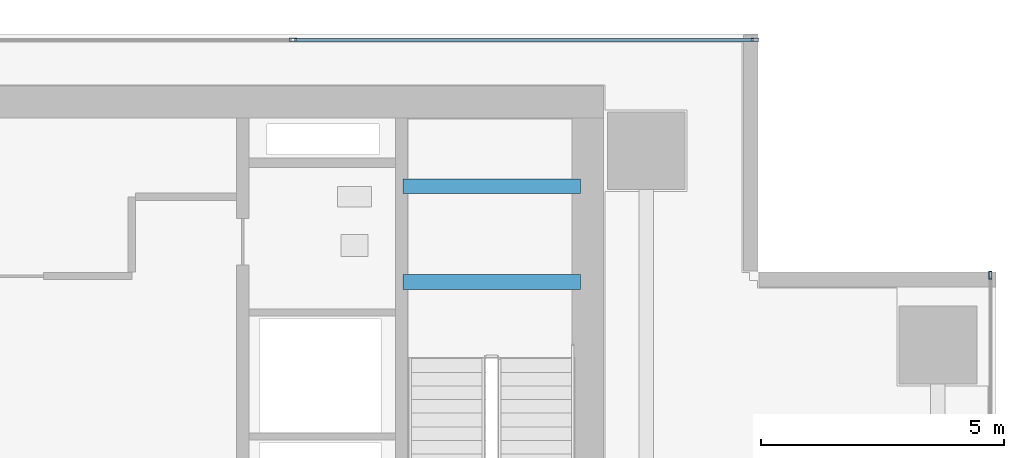
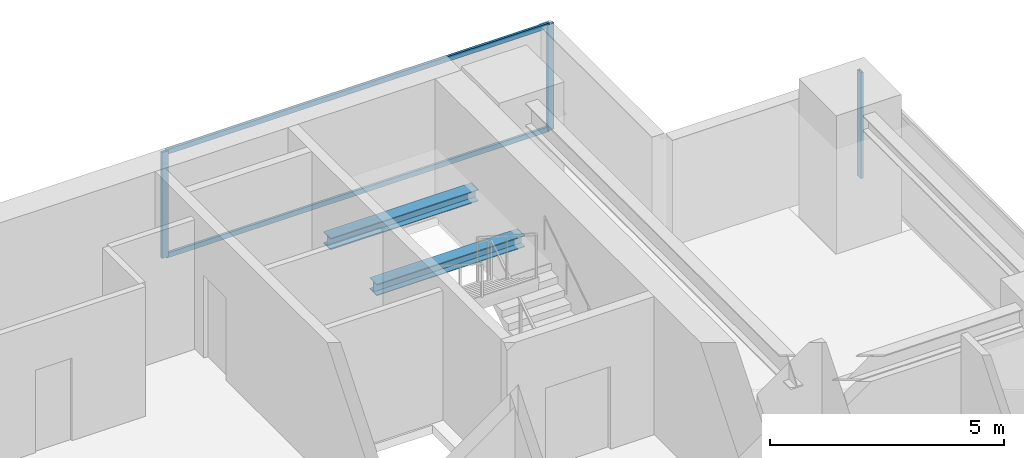
# One storey, part 19 of 27: 5 members, 2 beams, 2 elements without a shape of their own.
"""IFC4 building model written with IfcOpenShell, lengths in metres."""

from ifc_helpers import new_model, si_unit, direction, frame, origin, origin_2d, place, context, subcontext, project, spatial, hollow_rectangle, i_section, extrude, source, transform, mapped, material, layer, layer_set, material_profile, profile_set, type_object, element, aggregate, save


model = new_model("IFC4")

# Units and contexts
model_context = context("Model", 3, precision=1e-05, world=origin(), true_north=direction((0.0, 1.0)))
body_context = subcontext(model_context, "Body", "Model", "MODEL_VIEW")
ifc_project = project(units=[si_unit("LENGTHUNIT", "METRE"), si_unit("AREAUNIT", "SQUARE_METRE"), si_unit("VOLUMEUNIT", "CUBIC_METRE"), si_unit("PLANEANGLEUNIT", "RADIAN"), si_unit("MASSUNIT", "GRAM", prefix="KILO")], contexts=[model_context])

# Site, building, storey
site_placement = place(None, origin())
site = spatial("IfcSite", under=ifc_project, at=site_placement, CompositionType="ELEMENT")
building_placement = place(site_placement, origin())
building = spatial("IfcBuilding", under=site, at=building_placement, Name="Sumidabori Civic Tower", CompositionType="ELEMENT")
storey_placement = place(building_placement, frame((0.0, 0.0, 164.0)))
storey = spatial("IfcBuildingStorey", under=building, at=storey_placement, Name="L42", CompositionType="ELEMENT", Elevation=164.0)

# Beams
ifc_material_1 = material(Name="Steel SN490", Category="steel")
ifc_material_profile_1 = material_profile(ifc_material_1, i_section(OverallWidth=0.300048828125, OverallDepth=0.300048828125, WebThickness=0.010986328125, FlangeThickness=0.01904296875, at=origin_2d()), Name="HE 300 B")
ifc_profile_set_1 = profile_set([ifc_material_profile_1], Name="Steel SN490")
beam_type = type_object("IfcBeamType", Name="BM-LDG-300", PredefinedType="BEAM", material=ifc_profile_set_1)
shared_shape_1 = source(origin(), body_context, "Body", "SweptSolid", [
    extrude(i_section(OverallWidth=0.300048828125, OverallDepth=0.300048828125, WebThickness=0.010986328125, FlangeThickness=0.01904296875, at=origin_2d()), origin(), (0.0, 0.0, 1.0), 3.64990234375),
])
for number, where, z_axis, x_axis, name in (
    (1, (11.800048828125, 20.09765625, 1.449951171875), (1.0, 0.0, 0.0), (0.0, 1.0, 0.0), "Stair ST-2 Landing Support Beam L42-1A"),
    (2, (11.800048828125, 22.069580078125, 1.449951171875), (1.0, 0.0, 0.0), (0.0, 1.0, 0.0), "Stair ST-2 Landing Trimmer Beam L42-1B"),
):
    element("IfcBeam", number, at=place(storey_placement, frame(where, z_axis=z_axis, x_axis=x_axis)), inside=storey, type_object=beam_type, Name=name, PredefinedType="BEAM", context=body_context, shape_type="MappedRepresentation", body=[
        mapped(shared_shape_1, transform((0.0, 0.0, 0.0), x_axis=(1.0, 0.0, 0.0), y_axis=(0.0, 1.0, 0.0), z_axis=(0.0, 0.0, 1.0), scale=1.0)),
    ])

# Curtain wall, member
ifc_material_2 = material(Name="Anodised Bronze Aluminium AW-6063-T6", Category="aluminium")
ifc_layer = layer(ifc_material_2, 0.179931640625, Name="Anodised Bronze Aluminium AW-6063-T6")
ifc_layer_set = layer_set([ifc_layer], Name="Anodised Bronze Aluminium AW-6063-T6")
curtain_wall_type = type_object("IfcCurtainWallType", Name="CW-SYS-3", PredefinedType="NOTDEFINED", material=ifc_layer_set)
curtain_wall_1_placement = place(storey_placement, origin())
curtain_wall_1 = element("IfcCurtainWall", 3, at=curtain_wall_1_placement, inside=storey, type_object=curtain_wall_type, Name="Curtain Wall CW:L42:R04", PredefinedType="NOTDEFINED")
ifc_material_profile_2 = material_profile(ifc_material_2, hollow_rectangle(XDim=0.06494140625, YDim=0.159912109375, WallThickness=0.0048828125, at=origin_2d()), Name="ALU MULLION 160x65")
ifc_profile_set_2 = profile_set([ifc_material_profile_2], Name="Anodised Bronze Aluminium AW-6063-T6")
member_type_1 = type_object("IfcMemberType", Name="CW-MUL-160", PredefinedType="MULLION", material=ifc_profile_set_2)
shared_shape_2 = source(origin(), body_context, "Body", "SweptSolid", [
    extrude(hollow_rectangle(XDim=0.06494140625, YDim=0.159912109375, WallThickness=0.0048828125, at=origin_2d()), origin(), (0.0, 0.0, 1.0), 2.760009765625),
])
member_1_placement = place(storey_placement, frame((23.8798828125, 20.237548828125, 0.0), z_axis=(0.0, 0.0, 1.0), x_axis=(-1.0, 0.0, 0.0)))
member_1 = element("IfcMember", 4, at=member_1_placement, type_object=member_type_1, Name="CW-3 mullion 5", PredefinedType="MULLION", context=body_context, shape_type="MappedRepresentation", body=[
    mapped(shared_shape_2, transform((0.0, 0.0, 0.0), x_axis=(1.0, 0.0, 0.0), y_axis=(0.0, 1.0, 0.0), z_axis=(0.0, 0.0, 1.0), scale=1.0)),
])
aggregate(curtain_wall_1, [member_1])

# Curtain wall, members
curtain_wall_2_placement = place(storey_placement, origin())
curtain_wall_2 = element("IfcCurtainWall", 5, at=curtain_wall_2_placement, inside=storey, type_object=curtain_wall_type, Name="Curtain Wall CW:L42:R07", PredefinedType="NOTDEFINED")
member_2_placement = place(storey_placement, frame((19.03759765625, 25.080078125, 0.0), z_axis=(0.0, 0.0, 1.0), x_axis=(0.0, -1.0, 0.0)))
member_2 = element("IfcMember", 6, at=member_2_placement, type_object=member_type_1, Name="CW-3 mullion 1", PredefinedType="MULLION", context=body_context, shape_type="MappedRepresentation", body=[
    mapped(shared_shape_2, transform((0.0, 0.0, 0.0), x_axis=(1.0, 0.0, 0.0), y_axis=(0.0, 1.0, 0.0), z_axis=(0.0, 0.0, 1.0), scale=1.0)),
])
member_3_placement = place(storey_placement, frame((9.534912109375, 25.080078125, 0.0), z_axis=(0.0, 0.0, 1.0), x_axis=(0.0, -1.0, 0.0)))
member_3 = element("IfcMember", 7, at=member_3_placement, type_object=member_type_1, Name="CW-3 mullion 2", PredefinedType="MULLION", context=body_context, shape_type="MappedRepresentation", body=[
    mapped(shared_shape_2, transform((0.0, 0.0, 0.0), x_axis=(1.0, 0.0, 0.0), y_axis=(0.0, 1.0, 0.0), z_axis=(0.0, 0.0, 1.0), scale=1.0)),
])
ifc_material_profile_3 = material_profile(ifc_material_2, hollow_rectangle(XDim=0.06005859375, YDim=0.1298828125, WallThickness=0.0048828125, at=origin_2d()), Name="ALU TRANSOM 130x60")
ifc_profile_set_3 = profile_set([ifc_material_profile_3], Name="Anodised Bronze Aluminium AW-6063-T6")
member_type_2 = type_object("IfcMemberType", Name="CW-TRN-130", PredefinedType="USERDEFINED", material=ifc_profile_set_3)
shared_shape_3 = source(origin(), body_context, "Body", "SweptSolid", [
    extrude(hollow_rectangle(XDim=0.06005859375, YDim=0.1298828125, WallThickness=0.0048828125, at=origin_2d()), origin(), (0.0, 0.0, 1.0), 9.4375),
])
member_4_placement = place(storey_placement, frame((19.0048828125, 25.080078125, 0.030029296875), z_axis=(-1.0, 0.0, 0.0), x_axis=(0.0, -1.0, 0.0)))
member_4 = element("IfcMember", 8, at=member_4_placement, type_object=member_type_2, Name="CW-3 transom 1.1", ObjectType="TRANSOM", PredefinedType="USERDEFINED", context=body_context, shape_type="MappedRepresentation", body=[
    mapped(shared_shape_3, transform((0.0, 0.0, 0.0), x_axis=(1.0, 0.0, 0.0), y_axis=(0.0, 1.0, 0.0), z_axis=(0.0, 0.0, 1.0), scale=1.0)),
])
member_5_placement = place(storey_placement, frame((19.0048828125, 25.080078125, 2.72998046875), z_axis=(-1.0, 0.0, 0.0), x_axis=(0.0, -1.0, 0.0)))
member_5 = element("IfcMember", 9, at=member_5_placement, type_object=member_type_2, Name="CW-3 transom 1.2", ObjectType="TRANSOM", PredefinedType="USERDEFINED", context=body_context, shape_type="MappedRepresentation", body=[
    mapped(shared_shape_3, transform((0.0, 0.0, 0.0), x_axis=(1.0, 0.0, 0.0), y_axis=(0.0, 1.0, 0.0), z_axis=(0.0, 0.0, 1.0), scale=1.0)),
])
aggregate(curtain_wall_2, [member_2, member_3, member_4, member_5])

save(model, "model.ifc")
